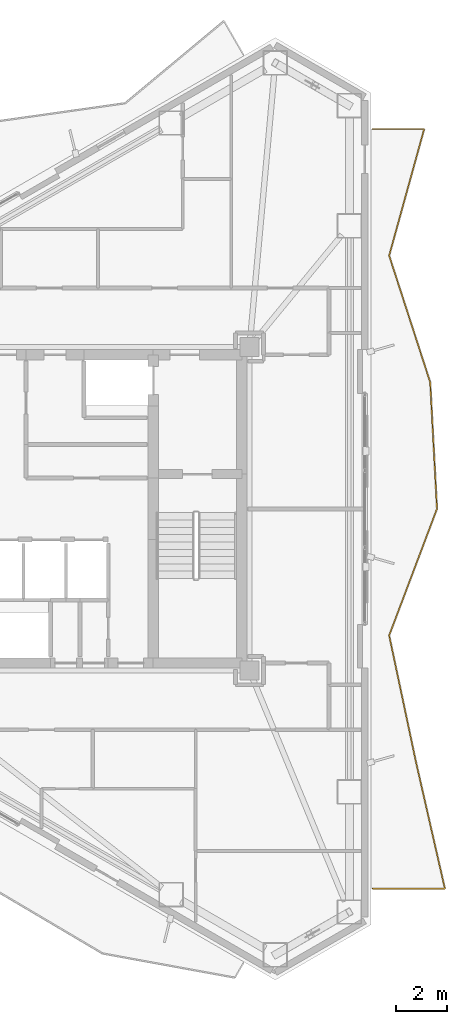
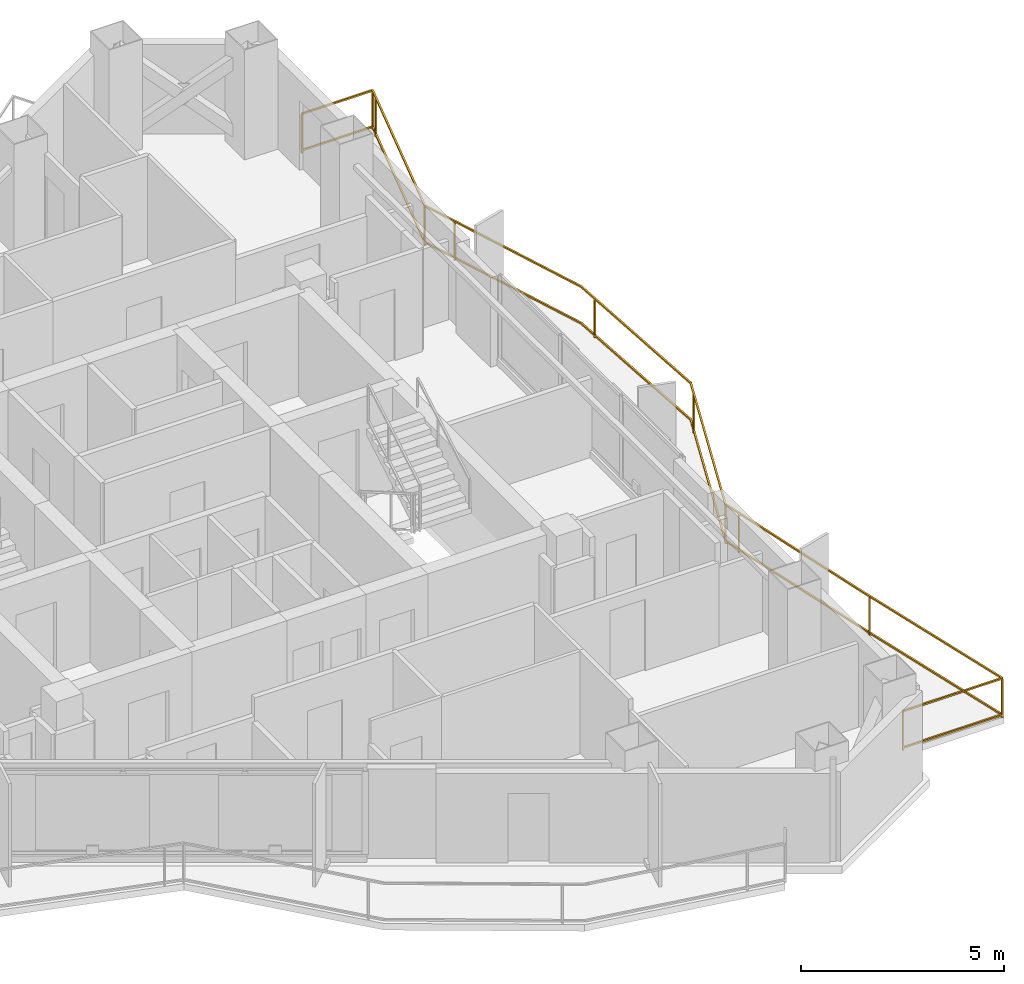
# One storey, part 21 of 21: 1 railing.
"""IFC4 building model written with IfcOpenShell, lengths in metres."""

from ifc_helpers import new_model, si_unit, direction, frame, origin, origin_2d, place, context, subcontext, project, spatial, rectangle, extrude, material, type_object, element, save


model = new_model("IFC4")

# Units and contexts
model_context = context("Model", 3, precision=1e-05, world=origin(), true_north=direction((0.0, 1.0)))
body_context = subcontext(model_context, "Body", "Model", "MODEL_VIEW")
ifc_project = project(units=[si_unit("LENGTHUNIT", "METRE"), si_unit("AREAUNIT", "SQUARE_METRE"), si_unit("VOLUMEUNIT", "CUBIC_METRE"), si_unit("PLANEANGLEUNIT", "RADIAN"), si_unit("MASSUNIT", "GRAM", prefix="KILO")], contexts=[model_context])

# Site, building, storey
site_placement = place(None, origin())
site = spatial("IfcSite", under=ifc_project, at=site_placement, CompositionType="ELEMENT")
building_placement = place(site_placement, origin())
building = spatial("IfcBuilding", under=site, at=building_placement, Name="Mersakhor Tower and Convention Hall", CompositionType="ELEMENT")
storey_placement = place(building_placement, frame((0.0, 0.0, 178.800048828125)))
storey = spatial("IfcBuildingStorey", under=building, at=storey_placement, Name="L49", CompositionType="ELEMENT", Elevation=178.800048828125)

# Railing
ifc_material = material(Name="Powder-coated galvanised steel and laminated glass balustrade", Category="steel")
railing_type = type_object("IfcRailingType", Name="RL-BAL-1200", PredefinedType="BALUSTRADE", material=ifc_material)
railing_placement = place(storey_placement, frame((40.888427734375, 11.957275390625, 0.0)))
element("IfcRailing", 1, at=railing_placement, inside=storey, type_object=railing_type, Name="L49 Sinusoidal Balcony Balustrade F2", PredefinedType="BALUSTRADE", context=body_context, shape_type="SweptSolid", body=[
    extrude(rectangle(XDim=0.048095703125, YDim=0.048095703125, at=origin_2d()), frame((0.0, 0.0, 1.17578125), z_axis=(1.0, 0.0, 0.0), x_axis=(0.0, 1.0, 0.0)), (0.0, 0.0, 1.0), 2.820068359375),
    extrude(rectangle(XDim=0.048095703125, YDim=0.048095703125, at=origin_2d()), frame((0.0, 0.0, 0.080078125), z_axis=(1.0, 0.0, 0.0), x_axis=(0.0, 1.0, 0.0)), (0.0, 0.0, 1.0), 2.820068359375),
    extrude(rectangle(XDim=0.048095703125, YDim=0.048095703125, at=origin_2d()), frame((2.820068359375, 0.0, 1.17578125), z_axis=(-0.222620333353, 0.974905219587, 0.0), x_axis=(-0.974905219587, -0.222620333353, 0.0)), (0.0, 0.0, 1.0), 5.057861328125),
    extrude(rectangle(XDim=0.048095703125, YDim=0.048095703125, at=origin_2d()), frame((2.820068359375, 0.0, 0.080078125), z_axis=(-0.222620333353, 0.974905219587, 0.0), x_axis=(-0.974905219587, -0.222620333353, 0.0)), (0.0, 0.0, 1.0), 5.057861328125),
    extrude(rectangle(XDim=0.048095703125, YDim=0.048095703125, at=origin_2d()), frame((1.694091796875, 4.930908203125, 1.17578125), z_axis=(-0.207169896502, 0.978304980046, 0.0), x_axis=(-0.978304980046, -0.207169896502, 0.0)), (0.0, 0.0, 1.0), 5.040283203125),
    extrude(rectangle(XDim=0.048095703125, YDim=0.048095703125, at=origin_2d()), frame((1.694091796875, 4.930908203125, 0.080078125), z_axis=(-0.207169896502, 0.978304980046, 0.0), x_axis=(-0.978304980046, -0.207169896502, 0.0)), (0.0, 0.0, 1.0), 5.040283203125),
    extrude(rectangle(XDim=0.048095703125, YDim=0.048095703125, at=origin_2d()), frame((0.64990234375, 9.86181640625, 1.17578125), z_axis=(0.353320400132, 0.935502375652, 0.0), x_axis=(-0.935502375652, 0.353320400132, 0.0)), (0.0, 0.0, 1.0), 5.270751953125),
    extrude(rectangle(XDim=0.048095703125, YDim=0.048095703125, at=origin_2d()), frame((0.64990234375, 9.86181640625, 0.080078125), z_axis=(0.353320400132, 0.935502375652, 0.0), x_axis=(-0.935502375652, 0.353320400132, 0.0)), (0.0, 0.0, 1.0), 5.270751953125),
    extrude(rectangle(XDim=0.048095703125, YDim=0.048095703125, at=origin_2d()), frame((2.51220703125, 14.792724609375, 1.17578125), z_axis=(-0.053643499713, 0.998560150887, 0.0), x_axis=(-0.998560150887, -0.053643499713, 0.0)), (0.0, 0.0, 1.0), 4.93798828125),
    extrude(rectangle(XDim=0.048095703125, YDim=0.048095703125, at=origin_2d()), frame((2.51220703125, 14.792724609375, 0.080078125), z_axis=(-0.053643499713, 0.998560150887, 0.0), x_axis=(-0.998560150887, -0.053643499713, 0.0)), (0.0, 0.0, 1.0), 4.93798828125),
    extrude(rectangle(XDim=0.048095703125, YDim=0.048095703125, at=origin_2d()), frame((2.247314453125, 19.7236328125, 1.17578125), z_axis=(-0.308190219757, 0.951324754459, 0.0), x_axis=(-0.951324754459, -0.308190219757, 0.0)), (0.0, 0.0, 1.0), 5.18310546875),
    extrude(rectangle(XDim=0.048095703125, YDim=0.048095703125, at=origin_2d()), frame((2.247314453125, 19.7236328125, 0.080078125), z_axis=(-0.308190219757, 0.951324754459, 0.0), x_axis=(-0.951324754459, -0.308190219757, 0.0)), (0.0, 0.0, 1.0), 5.18310546875),
    extrude(rectangle(XDim=0.048095703125, YDim=0.048095703125, at=origin_2d()), frame((0.64990234375, 24.654541015625, 1.17578125), z_axis=(0.26647947117, 0.963840594416, 0.0), x_axis=(-0.963840594416, 0.26647947117, 0.0)), (0.0, 0.0, 1.0), 5.115966796875),
    extrude(rectangle(XDim=0.048095703125, YDim=0.048095703125, at=origin_2d()), frame((0.64990234375, 24.654541015625, 0.080078125), z_axis=(0.26647947117, 0.963840594416, 0.0), x_axis=(-0.963840594416, 0.26647947117, 0.0)), (0.0, 0.0, 1.0), 5.115966796875),
    extrude(rectangle(XDim=0.048095703125, YDim=0.048095703125, at=origin_2d()), frame((2.01318359375, 29.58544921875, 1.17578125), z_axis=(-1.0, 0.0, 0.0), x_axis=(0.0, -1.0, 0.0)), (0.0, 0.0, 1.0), 2.01318359375),
    extrude(rectangle(XDim=0.048095703125, YDim=0.048095703125, at=origin_2d()), frame((2.01318359375, 29.58544921875, 0.080078125), z_axis=(-1.0, 0.0, 0.0), x_axis=(0.0, -1.0, 0.0)), (0.0, 0.0, 1.0), 2.01318359375),
    extrude(rectangle(XDim=0.0419921875, YDim=0.0419921875, at=origin_2d()), origin(), (0.0, 0.0, 1.0), 1.15185546875),
    extrude(rectangle(XDim=0.0419921875, YDim=0.0419921875, at=origin_2d()), frame((2.820068359375, 0.0, 0.0)), (0.0, 0.0, 1.0), 1.15185546875),
    extrude(rectangle(XDim=0.0419921875, YDim=0.0419921875, at=origin_2d()), frame((1.75146484375, 4.679443359375, 0.0)), (0.0, 0.0, 1.0), 1.15185546875),
    extrude(rectangle(XDim=0.0419921875, YDim=0.0419921875, at=origin_2d()), frame((0.753173828125, 9.37451171875, 0.0)), (0.0, 0.0, 1.0), 1.15185546875),
    extrude(rectangle(XDim=0.0419921875, YDim=0.0419921875, at=origin_2d()), frame((0.64990234375, 9.86181640625, 0.0)), (0.0, 0.0, 1.0), 1.15185546875),
    extrude(rectangle(XDim=0.0419921875, YDim=0.0419921875, at=origin_2d()), frame((2.345947265625, 14.352294921875, 0.0)), (0.0, 0.0, 1.0), 1.15185546875),
    extrude(rectangle(XDim=0.0419921875, YDim=0.0419921875, at=origin_2d()), frame((2.280029296875, 19.11572265625, 0.0)), (0.0, 0.0, 1.0), 1.15185546875),
    extrude(rectangle(XDim=0.0419921875, YDim=0.0419921875, at=origin_2d()), frame((0.95556640625, 23.710693359375, 0.0)), (0.0, 0.0, 1.0), 1.15185546875),
    extrude(rectangle(XDim=0.0419921875, YDim=0.0419921875, at=origin_2d()), frame((0.64990234375, 24.654541015625, 0.0)), (0.0, 0.0, 1.0), 1.15185546875),
    extrude(rectangle(XDim=0.0419921875, YDim=0.0419921875, at=origin_2d()), frame((1.928955078125, 29.281005859375, 0.0)), (0.0, 0.0, 1.0), 1.15185546875),
    extrude(rectangle(XDim=0.0419921875, YDim=0.0419921875, at=origin_2d()), frame((2.01318359375, 29.58544921875, 0.0)), (0.0, 0.0, 1.0), 1.15185546875),
    extrude(rectangle(XDim=0.0419921875, YDim=0.0419921875, at=origin_2d()), frame((0.0, 29.58544921875, 0.0)), (0.0, 0.0, 1.0), 1.15185546875),
])

save(model, "model.ifc")
